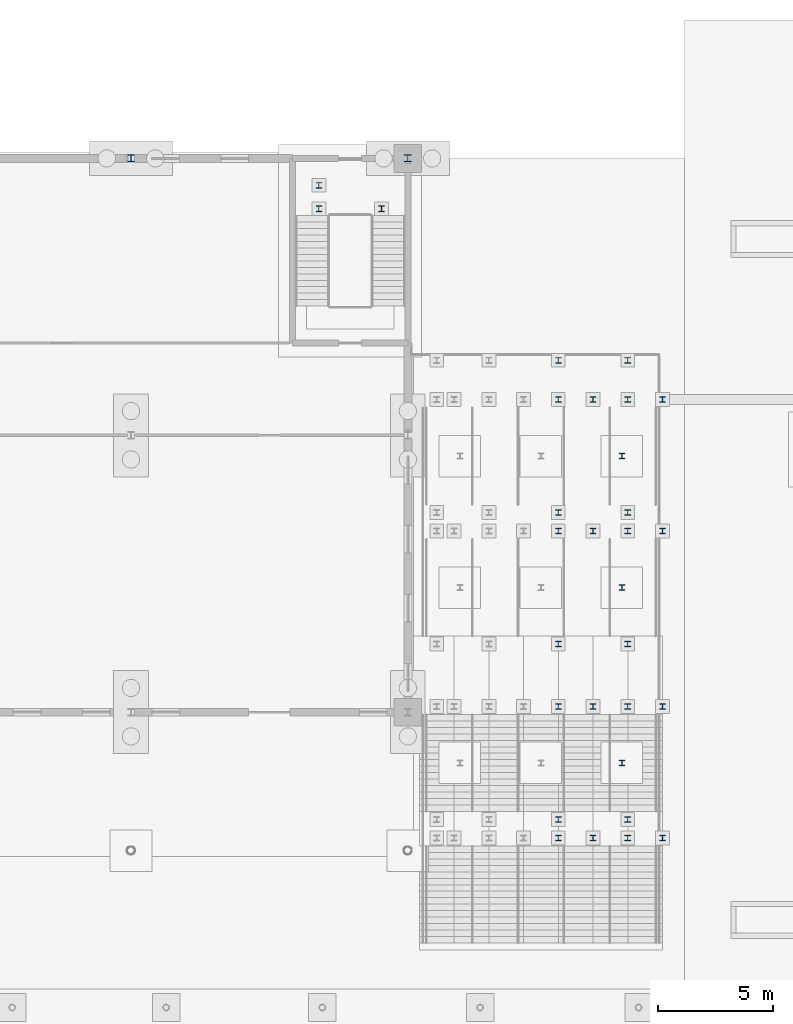
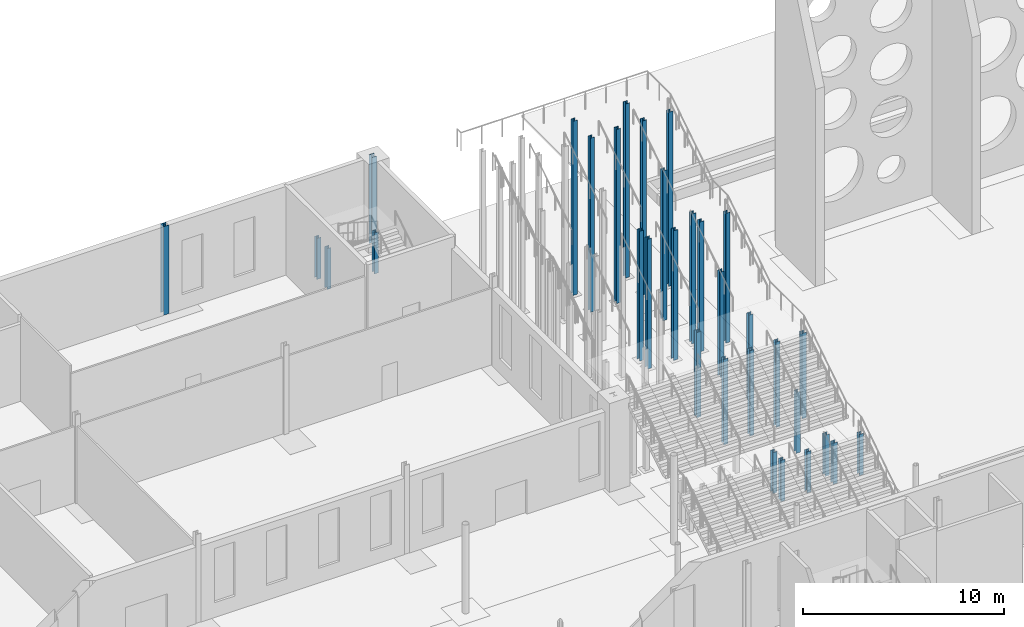
# One storey, part 36 of 132: 32 columns.
"""IFC4 building model written with IfcOpenShell, lengths in metres."""

from ifc_helpers import new_model, si_unit, direction, frame, origin, origin_2d, place, context, subcontext, project, spatial, i_section, extrude, material, material_profile, profile_set, type_object, element, save


model = new_model("IFC4")

# Units and contexts
model_context = context("Model", 3, precision=1e-05, world=origin(), true_north=direction((0.0, 1.0)))
body_context = subcontext(model_context, "Body", "Model", "MODEL_VIEW")
ifc_project = project(units=[si_unit("LENGTHUNIT", "METRE"), si_unit("AREAUNIT", "SQUARE_METRE"), si_unit("VOLUMEUNIT", "CUBIC_METRE"), si_unit("PLANEANGLEUNIT", "RADIAN"), si_unit("MASSUNIT", "GRAM", prefix="KILO")], contexts=[model_context])

# Site, building, storey
site_placement = place(None, origin())
site = spatial("IfcSite", under=ifc_project, at=site_placement, CompositionType="ELEMENT")
building_placement = place(site_placement, origin())
building = spatial("IfcBuilding", under=site, at=building_placement, Name="Ravi Spectrum Wholesale Market", CompositionType="ELEMENT")
storey_placement = place(building_placement, origin())
storey = spatial("IfcBuildingStorey", under=building, at=storey_placement, Name="L00", CompositionType="ELEMENT", Elevation=0.0)

# Columns
ifc_material_1 = material(Name="Steel S355", Category="steel")
ifc_material_profile_1 = material_profile(ifc_material_1, i_section(OverallWidth=0.239990234375, OverallDepth=0.239990234375, WebThickness=0.010009765625, FlangeThickness=0.01708984375, at=origin_2d()))
ifc_profile_set_1 = profile_set([ifc_material_profile_1], Name="Steel S355")
column_type_1 = type_object("IfcColumnType", Name="HEB 240 column", PredefinedType="COLUMN", material=ifc_profile_set_1)
for number, where, z_axis, x_axis, name in (
    (1, (66.52001953125, 204.550048828125, 0.0), (0.0, 0.0, 1.0), (1.0, 0.0, 0.0), "GW-COL-L00-007"),
    (2, (66.52001953125, 205.35009765625, 0.0), (0.0, 0.0, 1.0), (1.0, 0.0, 0.0), "GW-COL-L00-008"),
    (3, (68.02490234375, 204.550048828125, 0.0), (0.0, 0.0, 1.0), (1.0, 0.0, 0.0), "GW-COL-L00-009"),
    (4, (69.530029296875, 204.550048828125, 0.0), (0.0, 0.0, 1.0), (1.0, 0.0, 0.0), "GW-COL-L00-010"),
    (5, (69.530029296875, 205.35009765625, 0.0), (0.0, 0.0, 1.0), (1.0, 0.0, 0.0), "GW-COL-L00-011"),
    (6, (71.034912109375, 204.550048828125, 0.0), (0.0, 0.0, 1.0), (1.0, 0.0, 0.0), "GW-COL-L00-012"),
):
    element("IfcColumn", number, at=place(storey_placement, frame(where, z_axis=z_axis, x_axis=x_axis)), inside=storey, type_object=column_type_1, Name=name, PredefinedType="COLUMN", context=body_context, shape_type="SweptSolid", body=[
        extrude(i_section(OverallWidth=0.239990234375, OverallDepth=0.239990234375, WebThickness=0.010009765625, FlangeThickness=0.01708984375, at=origin_2d()), origin(), (0.0, 0.0, 1.0), 2.5),
    ])
for number, where, z_axis, x_axis, name in (
    (7, (66.52001953125, 210.25, 0.0), (0.0, 0.0, 1.0), (1.0, 0.0, 0.0), "GW-COL-L00-019"),
    (8, (66.52001953125, 212.949951171875, 0.0), (0.0, 0.0, 1.0), (1.0, 0.0, 0.0), "GW-COL-L00-020"),
    (9, (68.02490234375, 210.25, 0.0), (0.0, 0.0, 1.0), (1.0, 0.0, 0.0), "GW-COL-L00-021"),
    (10, (69.530029296875, 210.25, 0.0), (0.0, 0.0, 1.0), (1.0, 0.0, 0.0), "GW-COL-L00-022"),
    (11, (69.530029296875, 212.949951171875, 0.0), (0.0, 0.0, 1.0), (1.0, 0.0, 0.0), "GW-COL-L00-023"),
    (12, (71.034912109375, 210.25, 0.0), (0.0, 0.0, 1.0), (1.0, 0.0, 0.0), "GW-COL-L00-024"),
):
    element("IfcColumn", number, at=place(storey_placement, frame(where, z_axis=z_axis, x_axis=x_axis)), inside=storey, type_object=column_type_1, Name=name, PredefinedType="COLUMN", context=body_context, shape_type="SweptSolid", body=[
        extrude(i_section(OverallWidth=0.239990234375, OverallDepth=0.239990234375, WebThickness=0.010009765625, FlangeThickness=0.01708984375, at=origin_2d()), origin(), (0.0, 0.0, 1.0), 5.199951171875),
    ])
for number, where, z_axis, x_axis, name in (
    (13, (66.52001953125, 217.85009765625, 0.0), (0.0, 0.0, 1.0), (1.0, 0.0, 0.0), "GW-COL-L00-031"),
    (14, (66.52001953125, 218.64990234375, 0.0), (0.0, 0.0, 1.0), (1.0, 0.0, 0.0), "GW-COL-L00-032"),
    (15, (68.02490234375, 217.85009765625, 0.0), (0.0, 0.0, 1.0), (1.0, 0.0, 0.0), "GW-COL-L00-033"),
    (16, (69.530029296875, 217.85009765625, 0.0), (0.0, 0.0, 1.0), (1.0, 0.0, 0.0), "GW-COL-L00-034"),
    (17, (69.530029296875, 218.64990234375, 0.0), (0.0, 0.0, 1.0), (1.0, 0.0, 0.0), "GW-COL-L00-035"),
    (18, (71.034912109375, 217.85009765625, 0.0), (0.0, 0.0, 1.0), (1.0, 0.0, 0.0), "GW-COL-L00-036"),
):
    element("IfcColumn", number, at=place(storey_placement, frame(where, z_axis=z_axis, x_axis=x_axis)), inside=storey, type_object=column_type_1, Name=name, PredefinedType="COLUMN", context=body_context, shape_type="SweptSolid", body=[
        extrude(i_section(OverallWidth=0.239990234375, OverallDepth=0.239990234375, WebThickness=0.010009765625, FlangeThickness=0.01708984375, at=origin_2d()), origin(), (0.0, 0.0, 1.0), 7.89990234375),
    ])
for number, where, z_axis, x_axis, name in (
    (19, (66.52001953125, 223.550048828125, 0.0), (0.0, 0.0, 1.0), (1.0, 0.0, 0.0), "GW-COL-L00-043"),
    (20, (66.52001953125, 225.25, 0.0), (0.0, 0.0, 1.0), (1.0, 0.0, 0.0), "GW-COL-L00-044"),
    (21, (68.02490234375, 223.550048828125, 0.0), (0.0, 0.0, 1.0), (1.0, 0.0, 0.0), "GW-COL-L00-045"),
    (22, (69.530029296875, 223.550048828125, 0.0), (0.0, 0.0, 1.0), (1.0, 0.0, 0.0), "GW-COL-L00-046"),
    (23, (69.530029296875, 225.25, 0.0), (0.0, 0.0, 1.0), (1.0, 0.0, 0.0), "GW-COL-L00-047"),
    (24, (71.034912109375, 223.550048828125, 0.0), (0.0, 0.0, 1.0), (1.0, 0.0, 0.0), "GW-COL-L00-048"),
):
    element("IfcColumn", number, at=place(storey_placement, frame(where, z_axis=z_axis, x_axis=x_axis)), inside=storey, type_object=column_type_1, Name=name, PredefinedType="COLUMN", context=body_context, shape_type="SweptSolid", body=[
        extrude(i_section(OverallWidth=0.239990234375, OverallDepth=0.239990234375, WebThickness=0.010009765625, FlangeThickness=0.01708984375, at=origin_2d()), origin(), (0.0, 0.0, 1.0), 10.60009765625),
    ])
column_1_placement = place(storey_placement, frame((69.279052734375, 207.800048828125, 0.0), z_axis=(0.0, 0.0, 1.0), x_axis=(1.0, 0.0, 0.0)))
element("IfcColumn", 25, at=column_1_placement, inside=storey, type_object=column_type_1, Name="GW-COL-L00-051", PredefinedType="COLUMN", context=body_context, shape_type="SweptSolid", body=[
    extrude(i_section(OverallWidth=0.239990234375, OverallDepth=0.239990234375, WebThickness=0.010009765625, FlangeThickness=0.01708984375, at=origin_2d()), origin(), (0.0, 0.0, 1.0), 3.71826171875),
])
column_2_placement = place(storey_placement, frame((69.279052734375, 215.39990234375, 0.0), z_axis=(0.0, 0.0, 1.0), x_axis=(1.0, 0.0, 0.0)))
element("IfcColumn", 26, at=column_2_placement, inside=storey, type_object=column_type_1, Name="GW-COL-L00-054", PredefinedType="COLUMN", context=body_context, shape_type="SweptSolid", body=[
    extrude(i_section(OverallWidth=0.239990234375, OverallDepth=0.239990234375, WebThickness=0.010009765625, FlangeThickness=0.01708984375, at=origin_2d()), origin(), (0.0, 0.0, 1.0), 6.418212890625),
])
column_3_placement = place(storey_placement, frame((69.279052734375, 221.10009765625, 0.0), z_axis=(0.0, 0.0, 1.0), x_axis=(1.0, 0.0, 0.0)))
element("IfcColumn", 27, at=column_3_placement, inside=storey, type_object=column_type_1, Name="GW-COL-L00-057", PredefinedType="COLUMN", context=body_context, shape_type="SweptSolid", body=[
    extrude(i_section(OverallWidth=0.239990234375, OverallDepth=0.239990234375, WebThickness=0.010009765625, FlangeThickness=0.01708984375, at=origin_2d()), origin(), (0.0, 0.0, 1.0), 9.1181640625),
])
for number, where, z_axis, x_axis, name in (
    (28, (56.14111328125, 231.820068359375, 0.0), (0.0, 0.0, 1.0), (1.0, 0.0, 0.0), "OF-COL-L00-024"),
    (29, (56.14111328125, 232.8369140625, 0.0), (0.0, 0.0, 1.0), (1.0, 0.0, 0.0), "OF-COL-L00-025"),
    (30, (58.85888671875, 231.820068359375, 0.0), (0.0, 0.0, 1.0), (1.0, 0.0, 0.0), "OF-COL-L00-026"),
):
    element("IfcColumn", number, at=place(storey_placement, frame(where, z_axis=z_axis, x_axis=x_axis)), inside=storey, type_object=column_type_1, Name=name, PredefinedType="COLUMN", context=body_context, shape_type="SweptSolid", body=[
        extrude(i_section(OverallWidth=0.239990234375, OverallDepth=0.239990234375, WebThickness=0.010009765625, FlangeThickness=0.01708984375, at=origin_2d()), origin(), (0.0, 0.0, 1.0), 2.5),
    ])
ifc_material_2 = material(Name="Steel S355", Category="steel")
ifc_material_profile_2 = material_profile(ifc_material_2, i_section(OverallWidth=0.300048828125, OverallDepth=0.300048828125, WebThickness=0.010986328125, FlangeThickness=0.01904296875, at=origin_2d()))
ifc_profile_set_2 = profile_set([ifc_material_profile_2], Name="Steel S355")
column_type_2 = type_object("IfcColumnType", Name="HEB 300 column", PredefinedType="COLUMN", material=ifc_profile_set_2)
for number, where, z_axis, x_axis, name in (
    (31, (48.0, 234.0, 0.0), (0.0, 0.0, 1.0), (1.0, 0.0, 0.0), "OF-COL-L00-012"),
    (32, (60.0, 234.0, 0.0), (0.0, 0.0, 1.0), (1.0, 0.0, 0.0), "OF-COL-L00-015"),
):
    element("IfcColumn", number, at=place(storey_placement, frame(where, z_axis=z_axis, x_axis=x_axis)), inside=storey, type_object=column_type_2, Name=name, PredefinedType="COLUMN", context=body_context, shape_type="SweptSolid", body=[
        extrude(i_section(OverallWidth=0.300048828125, OverallDepth=0.300048828125, WebThickness=0.010986328125, FlangeThickness=0.01904296875, at=origin_2d()), origin(), (0.0, 0.0, 1.0), 5.39990234375),
    ])

save(model, "model.ifc")
